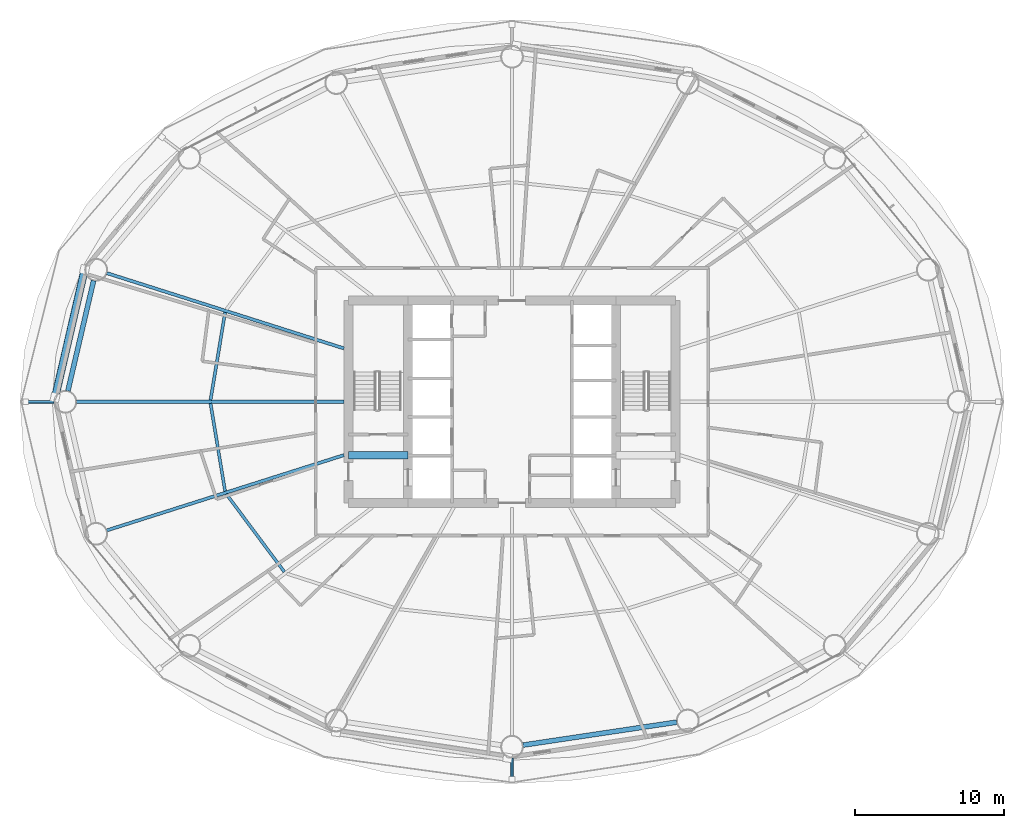
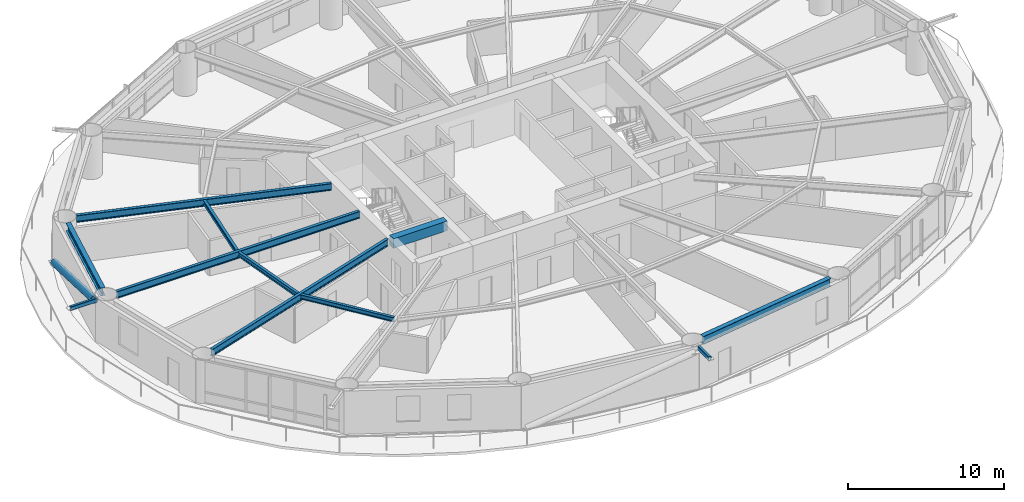
# One storey, part 5 of 28: 9 beams, 3 members.
"""IFC4 building model written with IfcOpenShell, lengths in metres."""

from ifc_helpers import new_model, si_unit, direction, frame, origin, origin_2d, place, context, subcontext, project, spatial, rectangle, hollow_rectangle, hollow_circle, i_section, extrude, material, material_profile, profile_set, type_object, element, save


model = new_model("IFC4")

# Units and contexts
model_context = context("Model", 3, precision=1e-05, world=origin(), true_north=direction((0.0, 1.0)))
body_context = subcontext(model_context, "Body", "Model", "MODEL_VIEW")
ifc_project = project(units=[si_unit("LENGTHUNIT", "METRE"), si_unit("AREAUNIT", "SQUARE_METRE"), si_unit("VOLUMEUNIT", "CUBIC_METRE"), si_unit("PLANEANGLEUNIT", "RADIAN"), si_unit("MASSUNIT", "GRAM", prefix="KILO")], contexts=[model_context])

# Site, building, storey
site_placement = place(None, origin())
site = spatial("IfcSite", under=ifc_project, at=site_placement, CompositionType="ELEMENT")
building_placement = place(site_placement, origin())
building = spatial("IfcBuilding", under=site, at=building_placement, Name="Sarneth Arch Tower", CompositionType="ELEMENT")
storey_placement = place(building_placement, frame((0.0, 0.0, 67.800048828125)))
storey = spatial("IfcBuildingStorey", under=building, at=storey_placement, Name="L16", CompositionType="ELEMENT", Elevation=67.800048828125)

# Beams
ifc_material_1 = material(Name="Steel S355", Category="steel")
ifc_material_profile_1 = material_profile(ifc_material_1, i_section(OverallWidth=0.202880859375, OverallDepth=0.346923828125, WebThickness=0.0078125, FlangeThickness=0.013427734375, FilletRadius=0.014892578125, at=origin_2d()), Name="W360x64")
ifc_profile_set_1 = profile_set([ifc_material_profile_1], Name="Steel S355")
beam_type_1 = type_object("IfcBeamType", Name="BM-JOIST-360C", PredefinedType="JOIST", material=ifc_profile_set_1)
for number, where, z_axis, x_axis, name in (
    (1, (28.70703125, 48.013916015625, 3.20654296875), (-0.16394288124, -0.986469833138, 0.0), (0.986469833138, -0.16394288124, 0.0), "L16 Secondary floor joist 08"),
    (2, (27.72509765625, 41.89453125, 3.20654296875), (0.16394288124, -0.986469833138, 0.0), (0.986469833138, 0.16394288124, 0.0), "L16 Secondary floor joist 09"),
):
    element("IfcBeam", number, at=place(storey_placement, frame(where, z_axis=z_axis, x_axis=x_axis)), inside=storey, type_object=beam_type_1, Name=name, PredefinedType="JOIST", context=body_context, shape_type="SweptSolid", body=[
        extrude(i_section(OverallWidth=0.202880859375, OverallDepth=0.346923828125, WebThickness=0.0078125, FlangeThickness=0.013427734375, FilletRadius=0.014892578125, at=origin_2d()), origin(), (0.0, 0.0, 1.0), 5.989501953125),
    ])
beam_1_placement = place(storey_placement, frame((28.78857421875, 35.794921875, 3.20654296875), z_axis=(0.597700490469, -0.801719479428, 0.0), x_axis=(0.801719479428, 0.597700490469, 0.0)))
element("IfcBeam", 3, at=beam_1_placement, inside=storey, type_object=beam_type_1, Name="L16 Secondary floor joist 10", PredefinedType="JOIST", context=body_context, shape_type="SweptSolid", body=[
    extrude(i_section(OverallWidth=0.202880859375, OverallDepth=0.346923828125, WebThickness=0.0078125, FlangeThickness=0.013427734375, FilletRadius=0.014892578125, at=origin_2d()), origin(), (0.0, 0.0, 1.0), 6.5302734375),
])
ifc_material_2 = material(Name="Concrete C50/60", Category="concrete")
ifc_material_profile_2 = material_profile(ifc_material_2, rectangle(XDim=0.5, YDim=0.75, at=origin_2d()), Name="RC-500x750")
ifc_profile_set_2 = profile_set([ifc_material_profile_2], Name="Concrete C50/60")
beam_type_2 = type_object("IfcBeamType", Name="BM-LINTEL-RC", PredefinedType="LINTEL", material=ifc_profile_set_2)
beam_2_placement = place(storey_placement, frame((37.0, 38.39990234375, 3.0048828125), z_axis=(1.0, 0.0, 0.0), x_axis=(0.0, 1.0, 0.0)))
element("IfcBeam", 4, at=beam_2_placement, inside=storey, type_object=beam_type_2, Name="L16 Core coupling lintel W", PredefinedType="LINTEL", context=body_context, shape_type="SweptSolid", body=[
    extrude(rectangle(XDim=0.5, YDim=0.75, at=origin_2d()), origin(), (0.0, 0.0, 1.0), 4.0),
])
ifc_material_3 = material(Name="Steel S355", Category="steel")
ifc_material_profile_3 = material_profile(ifc_material_3, i_section(OverallWidth=0.214111328125, OverallDepth=0.549072265625, WebThickness=0.0146484375, FlangeThickness=0.023681640625, FilletRadius=0.01806640625, at=origin_2d()), Name="W530x138")
ifc_profile_set_3 = profile_set([ifc_material_profile_3], Name="Steel S355")
beam_type_3 = type_object("IfcBeamType", Name="BM-RAD-530A", PredefinedType="BEAM", material=ifc_profile_set_3)
beam_3_placement = place(storey_placement, frame((36.699951171875, 45.58740234375, 3.10546875), z_axis=(-0.953119859464, 0.30259301627, 0.0), x_axis=(-0.30259301627, -0.953119859464, 0.0)))
element("IfcBeam", 5, at=beam_3_placement, inside=storey, type_object=beam_type_3, Name="L16 Radial floor girder 08", PredefinedType="BEAM", context=body_context, shape_type="SweptSolid", body=[
    extrude(i_section(OverallWidth=0.214111328125, OverallDepth=0.549072265625, WebThickness=0.0146484375, FlangeThickness=0.023681640625, FilletRadius=0.01806640625, at=origin_2d()), origin(), (0.0, 0.0, 1.0), 16.7353515625),
])
beam_4_placement = place(storey_placement, frame((36.699951171875, 42.0, 3.10546875), z_axis=(-1.0, 0.0, 0.0), x_axis=(0.0, -1.0, 0.0)))
element("IfcBeam", 6, at=beam_4_placement, inside=storey, type_object=beam_type_3, Name="L16 Radial floor girder 09", PredefinedType="BEAM", context=body_context, shape_type="SweptSolid", body=[
    extrude(i_section(OverallWidth=0.214111328125, OverallDepth=0.549072265625, WebThickness=0.0146484375, FlangeThickness=0.023681640625, FilletRadius=0.01806640625, at=origin_2d()), origin(), (0.0, 0.0, 1.0), 17.98486328125),
])
beam_5_placement = place(storey_placement, frame((36.699951171875, 38.41259765625, 3.10546875), z_axis=(-0.953119859464, -0.30259301627, 0.0), x_axis=(0.30259301627, -0.953119859464, 0.0)))
element("IfcBeam", 7, at=beam_5_placement, inside=storey, type_object=beam_type_3, Name="L16 Radial floor girder 10", PredefinedType="BEAM", context=body_context, shape_type="SweptSolid", body=[
    extrude(i_section(OverallWidth=0.214111328125, OverallDepth=0.549072265625, WebThickness=0.0146484375, FlangeThickness=0.023681640625, FilletRadius=0.01806640625, at=origin_2d()), origin(), (0.0, 0.0, 1.0), 16.7353515625),
])
ifc_material_4 = material(Name="Steel S355", Category="steel")
ifc_material_profile_4 = material_profile(ifc_material_4, i_section(OverallWidth=0.326904296875, OverallDepth=0.6220703125, WebThickness=0.015380859375, FlangeThickness=0.0244140625, FilletRadius=0.01904296875, at=origin_2d()), Name="W610x195")
ifc_profile_set_4 = profile_set([ifc_material_profile_4], Name="Steel S355")
beam_type_4 = type_object("IfcBeamType", Name="BM-SPAN-610A", PredefinedType="SPANDREL", material=ifc_profile_set_4)
beam_6_placement = place(storey_placement, frame((19.8642578125, 50.14794921875, 3.06884765625), z_axis=(-0.226982354826, -0.973898870827, 0.0), x_axis=(0.973898870827, -0.226982354826, 0.0)))
element("IfcBeam", 8, at=beam_6_placement, inside=storey, type_object=beam_type_4, Name="L16 Perimeter spandrel beam 08", PredefinedType="SPANDREL", context=body_context, shape_type="SweptSolid", body=[
    extrude(i_section(OverallWidth=0.326904296875, OverallDepth=0.6220703125, WebThickness=0.015380859375, FlangeThickness=0.0244140625, FilletRadius=0.01904296875, at=origin_2d()), origin(), (0.0, 0.0, 1.0), 7.6162109375),
])
beam_7_placement = place(storey_placement, frame((48.74169921875, 18.910888671875, 3.06884765625), z_axis=(0.989020169581, 0.147780594675, 0.0), x_axis=(-0.147780594675, 0.989020169581, 0.0)))
element("IfcBeam", 9, at=beam_7_placement, inside=storey, type_object=beam_type_4, Name="L16 Perimeter spandrel beam 13", PredefinedType="SPANDREL", context=body_context, shape_type="SweptSolid", body=[
    extrude(i_section(OverallWidth=0.326904296875, OverallDepth=0.6220703125, WebThickness=0.015380859375, FlangeThickness=0.0244140625, FilletRadius=0.01904296875, at=origin_2d()), origin(), (0.0, 0.0, 1.0), 10.44921875),
])

# Members
ifc_material_5 = material(Name="Steel S355", Category="steel")
ifc_material_profile_5 = material_profile(ifc_material_5, hollow_rectangle(XDim=0.199951171875, YDim=0.300048828125, WallThickness=0.012451171875, InnerFilletRadius=0.018798828125, OuterFilletRadius=0.03125, at=origin_2d()), Name="RHS300x200x12.5")
ifc_profile_set_5 = profile_set([ifc_material_profile_5], Name="Steel S355")
member_type_1 = type_object("IfcMemberType", Name="MEM-CANT-STRUT", PredefinedType="STRUT", material=ifc_profile_set_5)
member_1_placement = place(storey_placement, frame((17.215087890625, 42.0, 3.219970703125), z_axis=(-1.0, 0.0, 0.0), x_axis=(0.0, -1.0, 0.0)))
element("IfcMember", 10, at=member_1_placement, inside=storey, type_object=member_type_1, Name="L16 Balcony cantilever bracket 09", PredefinedType="STRUT", context=body_context, shape_type="SweptSolid", body=[
    extrude(hollow_rectangle(XDim=0.199951171875, YDim=0.300048828125, WallThickness=0.012451171875, InnerFilletRadius=0.018798828125, OuterFilletRadius=0.03125, at=origin_2d()), origin(), (0.0, 0.0, 1.0), 1.926025390625),
])
member_2_placement = place(storey_placement, frame((48.0, 18.050048828125, 3.219970703125), z_axis=(0.0, -1.0, 0.0), x_axis=(1.0, 0.0, 0.0)))
element("IfcMember", 11, at=member_2_placement, inside=storey, type_object=member_type_1, Name="L16 Balcony cantilever bracket 13", PredefinedType="STRUT", context=body_context, shape_type="SweptSolid", body=[
    extrude(hollow_rectangle(XDim=0.199951171875, YDim=0.300048828125, WallThickness=0.012451171875, InnerFilletRadius=0.018798828125, OuterFilletRadius=0.03125, at=origin_2d()), origin(), (0.0, 0.0, 1.0), 1.423828125),
])
ifc_material_6 = material(Name="Steel S355", Category="steel")
ifc_material_profile_6 = material_profile(ifc_material_6, hollow_circle(Radius=0.25390625, WallThickness=0.01611328125, at=origin_2d()), Name="CHS508x16")
ifc_profile_set_6 = profile_set([ifc_material_profile_6], Name="Steel S355")
member_type_2 = type_object("IfcMemberType", Name="MEM-DIAG-BR1", PredefinedType="BRACE", material=ifc_profile_set_6)
member_3_placement = place(storey_placement, frame((19.260986328125, 50.884521484375, 0.02001953125), z_axis=(-0.213332307958, -0.922814312474, 0.320785085492), x_axis=(0.974304339016, -0.225235554419, 0.0)))
element("IfcMember", 12, at=member_3_placement, inside=storey, type_object=member_type_2, Name="L16 Perimeter frame diagonal 08", PredefinedType="BRACE", context=body_context, shape_type="SweptSolid", body=[
    extrude(hollow_circle(Radius=0.25390625, WallThickness=0.01611328125, at=origin_2d()), origin(), (0.0, 0.0, 1.0), 9.31103515625),
])

save(model, "model.ifc")
